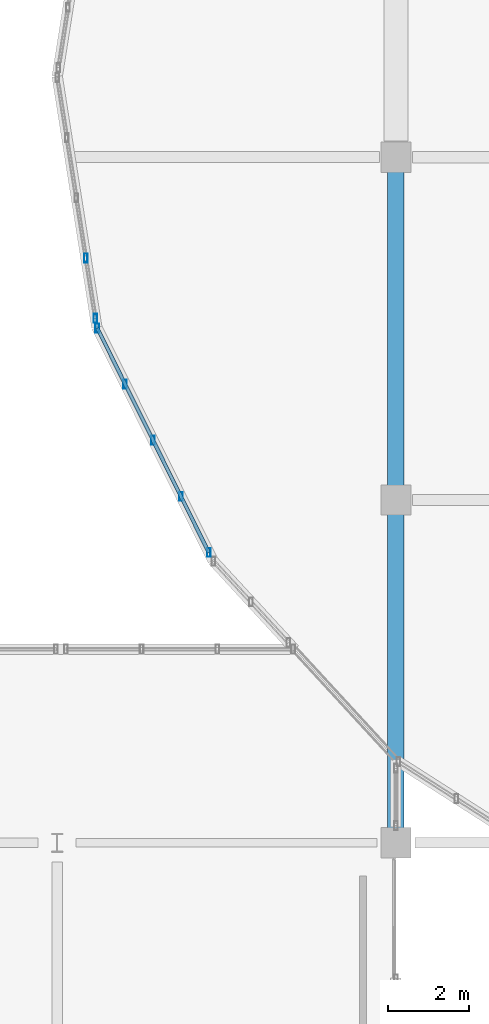
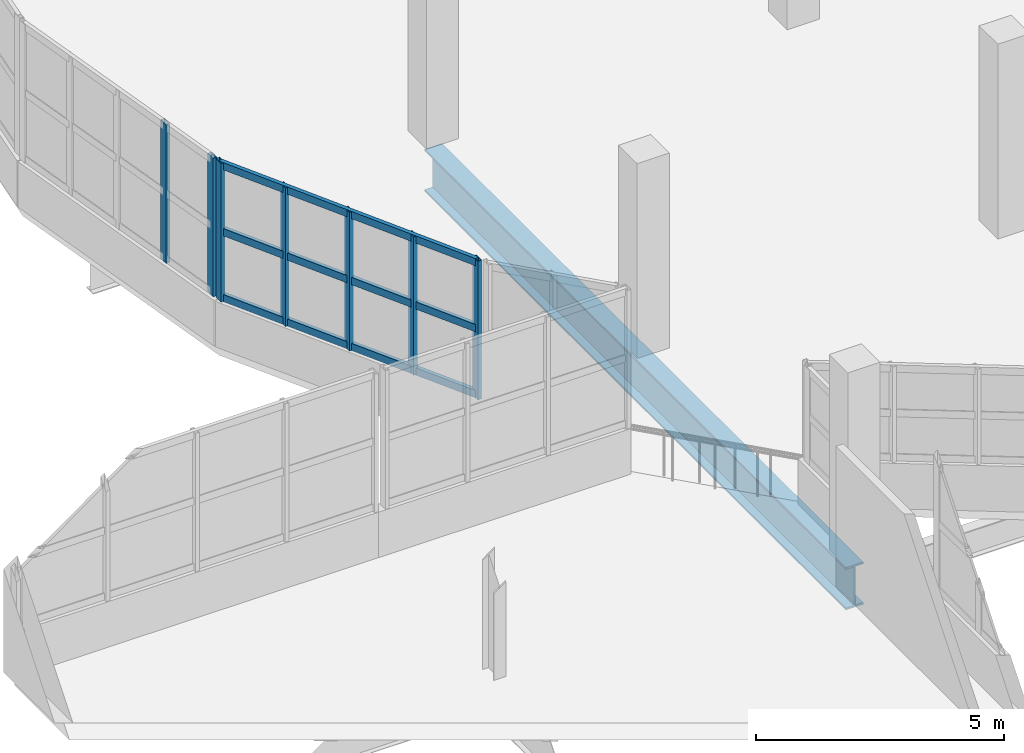
# One storey, part 12 of 117: 10 members, 1 beam, 2 elements without a shape of their own.
"""IFC4 building model written with IfcOpenShell, lengths in metres."""

from ifc_helpers import new_model, si_unit, direction, frame, origin, origin_2d, place, context, subcontext, project, spatial, hollow_rectangle, i_section, extrude, material, material_profile, profile_set, type_object, element, aggregate, save


model = new_model("IFC4")

# Units and contexts
model_context = context("Model", 3, precision=1e-05, world=origin(), true_north=direction((0.0, 1.0)))
body_context = subcontext(model_context, "Body", "Model", "MODEL_VIEW")
ifc_project = project(units=[si_unit("LENGTHUNIT", "METRE"), si_unit("AREAUNIT", "SQUARE_METRE"), si_unit("VOLUMEUNIT", "CUBIC_METRE"), si_unit("PLANEANGLEUNIT", "RADIAN"), si_unit("MASSUNIT", "GRAM", prefix="KILO")], contexts=[model_context])

# Site, building, storey
site_placement = place(None, origin())
site = spatial("IfcSite", under=ifc_project, at=site_placement, CompositionType="ELEMENT")
building_placement = place(site_placement, origin())
building = spatial("IfcBuilding", under=site, at=building_placement, Name="Solvento Point Concert Hall", CompositionType="ELEMENT")
storey_placement = place(building_placement, frame((0.0, 0.0, 5.39990234375)))
storey = spatial("IfcBuildingStorey", under=building, at=storey_placement, Name="L01", CompositionType="ELEMENT", Elevation=5.39990234375)

# Beam
ifc_material_1 = material(Name="Structural Steel ASTM A992 Grade 50", Category="steel")
ifc_material_profile_1 = material_profile(ifc_material_1, i_section(OverallWidth=0.408935546875, OverallDepth=1.041015625, WebThickness=0.031005859375, FlangeThickness=0.04443359375, at=origin_2d()), Name="W40X397")
ifc_profile_set_1 = profile_set([ifc_material_profile_1], Name="Structural Steel ASTM A992 Grade 50")
beam_type = type_object("IfcBeamType", Name="CantileverGirder_W40X397", PredefinedType="USERDEFINED", material=ifc_profile_set_1)
beam_placement = place(storey_placement, frame((40.800048828125, 34.0, -0.805419921875), z_axis=(0.0, -1.0, 0.0), x_axis=(1.0, 0.0, 0.0)))
element("IfcBeam", 1, at=beam_placement, inside=storey, type_object=beam_type, Name="Radial back-span girder CG-01 L01", ObjectType="GIRDER", PredefinedType="USERDEFINED", context=body_context, shape_type="SweptSolid", body=[
    extrude(i_section(OverallWidth=0.408935546875, OverallDepth=1.041015625, WebThickness=0.031005859375, FlangeThickness=0.04443359375, at=origin_2d()), origin(), (0.0, 0.0, 1.0), 17.0),
])

# Curtain wall, members
ifc_material_2 = material(Name="Anodized Bronze Aluminium", Category="aluminium")
curtain_wall_type = type_object("IfcCurtainWallType", Name="CurtainWall_RingRibbon_L01_02", PredefinedType="USERDEFINED", material=ifc_material_2)
curtain_wall_1_placement = place(storey_placement, origin())
curtain_wall_1 = element("IfcCurtainWall", 2, at=curtain_wall_1_placement, inside=storey, type_object=curtain_wall_type, Name="Unitised curtain wall CW-59 UCW-L01-096", ObjectType="UNITISED CURTAIN WALL", PredefinedType="USERDEFINED")
ifc_material_3 = material(Name="Anodized Bronze Aluminium", Category="aluminium")
ifc_material_profile_2 = material_profile(ifc_material_3, hollow_rectangle(XDim=0.090087890625, YDim=0.219970703125, WallThickness=0.00439453125, at=origin_2d()), Name="CW-MUL-90X220")
ifc_profile_set_2 = profile_set([ifc_material_profile_2], Name="Anodized Bronze Aluminium")
member_type_1 = type_object("IfcMemberType", Name="Mullion_90x220", PredefinedType="MULLION", material=ifc_profile_set_2)
member_1_placement = place(storey_placement, frame((36.16064453125, 24.197021484375, 1.1201171875), z_axis=(0.0, 0.0, 1.0), x_axis=(1.0, 0.0, 0.0)))
member_1 = element("IfcMember", 3, at=member_1_placement, type_object=member_type_1, Name="Curtain wall mullion ML-02", PredefinedType="MULLION", context=body_context, shape_type="SweptSolid", body=[
    extrude(hollow_rectangle(XDim=0.090087890625, YDim=0.219970703125, WallThickness=0.00439453125, at=origin_2d()), origin(), (0.0, 0.0, 1.0), 3.409912109375),
])
member_2_placement = place(storey_placement, frame((35.468994140625, 25.588134765625, 1.1201171875), z_axis=(0.0, 0.0, 1.0), x_axis=(1.0, 0.0, 0.0)))
member_2 = element("IfcMember", 4, at=member_2_placement, type_object=member_type_1, Name="Curtain wall mullion ML-02", PredefinedType="MULLION", context=body_context, shape_type="SweptSolid", body=[
    extrude(hollow_rectangle(XDim=0.090087890625, YDim=0.219970703125, WallThickness=0.00439453125, at=origin_2d()), origin(), (0.0, 0.0, 1.0), 3.409912109375),
])
member_3_placement = place(storey_placement, frame((34.777587890625, 26.979248046875, 1.1201171875), z_axis=(0.0, 0.0, 1.0), x_axis=(1.0, 0.0, 0.0)))
member_3 = element("IfcMember", 5, at=member_3_placement, type_object=member_type_1, Name="Curtain wall mullion ML-02", PredefinedType="MULLION", context=body_context, shape_type="SweptSolid", body=[
    extrude(hollow_rectangle(XDim=0.090087890625, YDim=0.219970703125, WallThickness=0.00439453125, at=origin_2d()), origin(), (0.0, 0.0, 1.0), 3.409912109375),
])
member_4_placement = place(storey_placement, frame((34.086181640625, 28.370361328125, 1.1201171875), z_axis=(0.0, 0.0, 1.0), x_axis=(1.0, 0.0, 0.0)))
member_4 = element("IfcMember", 6, at=member_4_placement, type_object=member_type_1, Name="Curtain wall mullion ML-02", PredefinedType="MULLION", context=body_context, shape_type="SweptSolid", body=[
    extrude(hollow_rectangle(XDim=0.090087890625, YDim=0.219970703125, WallThickness=0.00439453125, at=origin_2d()), origin(), (0.0, 0.0, 1.0), 3.409912109375),
])
member_5_placement = place(storey_placement, frame((33.394775390625, 29.761474609375, 1.1201171875), z_axis=(0.0, 0.0, 1.0), x_axis=(1.0, 0.0, 0.0)))
member_5 = element("IfcMember", 7, at=member_5_placement, type_object=member_type_1, Name="Curtain wall mullion ML-02", PredefinedType="MULLION", context=body_context, shape_type="SweptSolid", body=[
    extrude(hollow_rectangle(XDim=0.090087890625, YDim=0.219970703125, WallThickness=0.00439453125, at=origin_2d()), origin(), (0.0, 0.0, 1.0), 3.409912109375),
])

curtain_wall_2_placement = place(storey_placement, origin())
curtain_wall_2 = element("IfcCurtainWall", 8, at=curtain_wall_2_placement, inside=storey, type_object=curtain_wall_type, Name="Unitised curtain wall CW-59 UCW-L01-097", ObjectType="UNITISED CURTAIN WALL", PredefinedType="USERDEFINED")
member_6_placement = place(storey_placement, frame((33.346923828125, 30.005615234375, 1.1201171875), z_axis=(0.0, 0.0, 1.0), x_axis=(1.0, 0.0, 0.0)))
member_6 = element("IfcMember", 9, at=member_6_placement, type_object=member_type_1, Name="Curtain wall mullion ML-02", PredefinedType="MULLION", context=body_context, shape_type="SweptSolid", body=[
    extrude(hollow_rectangle(XDim=0.090087890625, YDim=0.219970703125, WallThickness=0.00439453125, at=origin_2d()), origin(), (0.0, 0.0, 1.0), 3.409912109375),
])
member_7_placement = place(storey_placement, frame((33.111328125, 31.496826171875, 1.1201171875), z_axis=(0.0, 0.0, 1.0), x_axis=(1.0, 0.0, 0.0)))
member_7 = element("IfcMember", 10, at=member_7_placement, type_object=member_type_1, Name="Curtain wall mullion ML-02", PredefinedType="MULLION", context=body_context, shape_type="SweptSolid", body=[
    extrude(hollow_rectangle(XDim=0.090087890625, YDim=0.219970703125, WallThickness=0.00439453125, at=origin_2d()), origin(), (0.0, 0.0, 1.0), 3.409912109375),
])
aggregate(curtain_wall_2, [member_6, member_7])

# Member
ifc_material_4 = material(Name="Anodized Bronze Aluminium", Category="aluminium")
ifc_material_profile_3 = material_profile(ifc_material_4, hollow_rectangle(XDim=0.090087890625, YDim=0.179931640625, WallThickness=0.00439453125, at=origin_2d()), Name="CW-TRN-90X180")
ifc_profile_set_3 = profile_set([ifc_material_profile_3], Name="Anodized Bronze Aluminium")
member_type_2 = type_object("IfcMemberType", Name="Transom_90x180", PredefinedType="USERDEFINED", material=ifc_profile_set_3)
member_8_placement = place(storey_placement, frame((36.16064453125, 24.197021484375, 1.2001953125), z_axis=(-0.445106459014, 0.895477660327, 0.0), x_axis=(-0.895477660327, -0.445106459014, 0.0)))
member_8 = element("IfcMember", 11, at=member_8_placement, type_object=member_type_2, Name="Curtain wall transom TR-02", ObjectType="TRANSOM", PredefinedType="USERDEFINED", context=body_context, shape_type="SweptSolid", body=[
    extrude(hollow_rectangle(XDim=0.090087890625, YDim=0.179931640625, WallThickness=0.00439453125, at=origin_2d()), origin(), (0.0, 0.0, 1.0), 6.2138671875),
])

member_9_placement = place(storey_placement, frame((36.16064453125, 24.197021484375, 2.8251953125), z_axis=(-0.445106459014, 0.895477660327, 0.0), x_axis=(-0.895477660327, -0.445106459014, 0.0)))
member_9 = element("IfcMember", 12, at=member_9_placement, type_object=member_type_2, Name="Curtain wall transom TR-02", ObjectType="TRANSOM", PredefinedType="USERDEFINED", context=body_context, shape_type="SweptSolid", body=[
    extrude(hollow_rectangle(XDim=0.090087890625, YDim=0.179931640625, WallThickness=0.00439453125, at=origin_2d()), origin(), (0.0, 0.0, 1.0), 6.2138671875),
])

member_10_placement = place(storey_placement, frame((36.16064453125, 24.197021484375, 4.4501953125), z_axis=(-0.445106459014, 0.895477660327, 0.0), x_axis=(-0.895477660327, -0.445106459014, 0.0)))
member_10 = element("IfcMember", 13, at=member_10_placement, type_object=member_type_2, Name="Curtain wall transom TR-02", ObjectType="TRANSOM", PredefinedType="USERDEFINED", context=body_context, shape_type="SweptSolid", body=[
    extrude(hollow_rectangle(XDim=0.090087890625, YDim=0.179931640625, WallThickness=0.00439453125, at=origin_2d()), origin(), (0.0, 0.0, 1.0), 6.2138671875),
])

aggregate(curtain_wall_1, [member_1, member_2, member_3, member_4, member_5, member_8, member_9, member_10])

save(model, "model.ifc")
